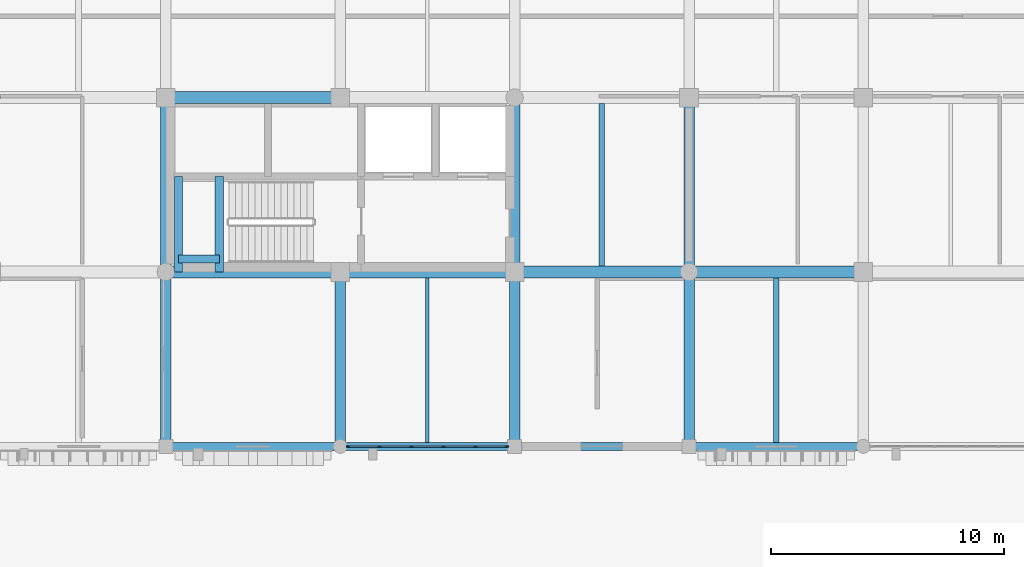
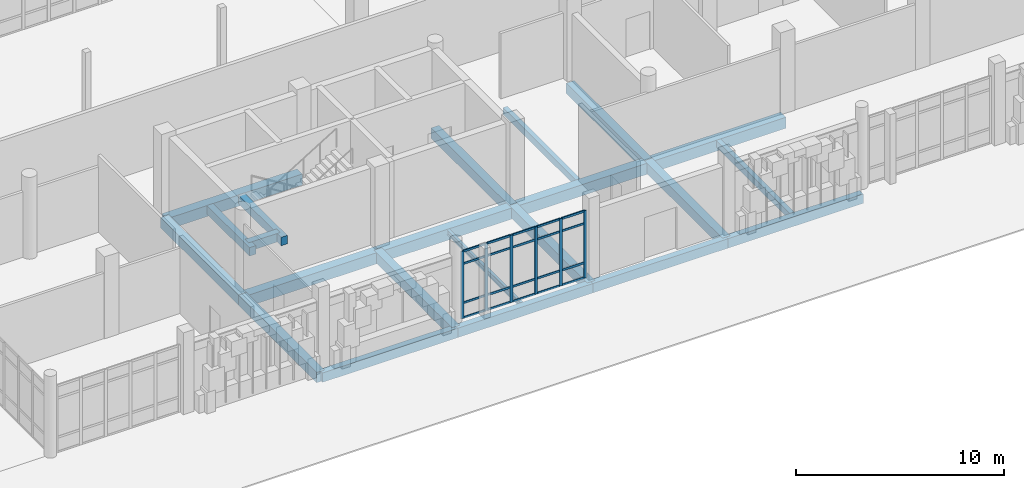
# One storey, part 54 of 125: 26 members, 22 beams, 1 element without a shape of its own.
"""IFC4 building model written with IfcOpenShell, lengths in metres."""

from ifc_helpers import new_model, si_unit, direction, frame, origin, origin_2d, place, context, subcontext, project, spatial, rectangle, i_section, extrude, material, layer, layer_set, material_profile, profile_set, type_object, element, aggregate, save


model = new_model("IFC4")

# Units and contexts
model_context = context("Model", 3, precision=1e-05, world=origin(), true_north=direction((0.0, 1.0)))
body_context = subcontext(model_context, "Body", "Model", "MODEL_VIEW")
ifc_project = project(units=[si_unit("LENGTHUNIT", "METRE"), si_unit("AREAUNIT", "SQUARE_METRE"), si_unit("VOLUMEUNIT", "CUBIC_METRE"), si_unit("PLANEANGLEUNIT", "RADIAN"), si_unit("MASSUNIT", "GRAM", prefix="KILO")], contexts=[model_context])

# Site, building, storey
site_placement = place(None, origin())
site = spatial("IfcSite", under=ifc_project, at=site_placement, CompositionType="ELEMENT")
building_placement = place(site_placement, origin())
building = spatial("IfcBuilding", under=site, at=building_placement, Name="Dalvernix Boulevard General Hospital", CompositionType="ELEMENT")
storey_placement = place(building_placement, origin())
storey = spatial("IfcBuildingStorey", under=building, at=storey_placement, Name="L00", CompositionType="ELEMENT", Elevation=0.0)

# Beams
ifc_material_1 = material(Name="Concrete C35/45", Category="concrete")
ifc_material_profile_1 = material_profile(ifc_material_1, rectangle(XDim=0.5, YDim=0.64990234375, at=origin_2d()), Name="RCB 500x650")
ifc_profile_set_1 = profile_set([ifc_material_profile_1], Name="Concrete C35/45")
beam_type_1 = type_object("IfcBeamType", Name="BM-B-02-I", PredefinedType="BEAM", material=ifc_profile_set_1)
for number, where, z_axis, x_axis, name in (
    (1, (127.5, 7.5, -0.68505859375), (1.0, 0.0, 0.0), (0.0, 1.0, 0.0), "L00 E-W girder B:18-19"),
    (2, (135.0, 7.5, -0.68505859375), (1.0, 0.0, 0.0), (0.0, 1.0, 0.0), "L00 E-W girder B:19-20"),
    (3, (142.5, 7.5, -0.68505859375), (1.0, 0.0, 0.0), (0.0, 1.0, 0.0), "L00 E-W girder B:20-21"),
    (4, (150.0, 7.5, -0.68505859375), (1.0, 0.0, 0.0), (0.0, 1.0, 0.0), "L00 E-W girder B:21-22"),
    (5, (127.5, 15.0, -0.68505859375), (1.0, 0.0, 0.0), (0.0, 1.0, 0.0), "L00 E-W girder C:18-19"),
):
    element("IfcBeam", number, at=place(storey_placement, frame(where, z_axis=z_axis, x_axis=x_axis)), inside=storey, type_object=beam_type_1, Name=name, PredefinedType="BEAM", context=body_context, shape_type="SweptSolid", body=[
        extrude(rectangle(XDim=0.5, YDim=0.64990234375, at=origin_2d()), origin(), (0.0, 0.0, 1.0), 7.5),
    ])
ifc_material_profile_2 = material_profile(ifc_material_1, rectangle(XDim=0.449951171875, YDim=0.60009765625, at=origin_2d()), Name="RCB 450x600")
ifc_profile_set_2 = profile_set([ifc_material_profile_2], Name="Concrete C35/45")
beam_type_2 = type_object("IfcBeamType", Name="BM-B-04-I", PredefinedType="BEAM", material=ifc_profile_set_2)
for number, where, z_axis, x_axis, name in (
    (6, (127.5, 0.0, -0.659912109375), (0.0, 1.0, 0.0), (-1.0, 0.0, 0.0), "L00 N-S girder 18:A-B"),
    (7, (127.5, 7.5, -0.659912109375), (0.0, 1.0, 0.0), (-1.0, 0.0, 0.0), "L00 N-S girder 18:B-C"),
    (8, (135.0, 0.0, -0.659912109375), (0.0, 1.0, 0.0), (-1.0, 0.0, 0.0), "L00 N-S girder 19:A-B"),
    (9, (142.5, 0.0, -0.659912109375), (0.0, 1.0, 0.0), (-1.0, 0.0, 0.0), "L00 N-S girder 20:A-B"),
    (10, (142.5, 7.5, -0.659912109375), (0.0, 1.0, 0.0), (-1.0, 0.0, 0.0), "L00 N-S girder 20:B-C"),
    (11, (150.0, 0.0, -0.659912109375), (0.0, 1.0, 0.0), (-1.0, 0.0, 0.0), "L00 N-S girder 21:A-B"),
    (12, (150.0, 7.5, -0.659912109375), (0.0, 1.0, 0.0), (-1.0, 0.0, 0.0), "L00 N-S girder 21:B-C"),
):
    element("IfcBeam", number, at=place(storey_placement, frame(where, z_axis=z_axis, x_axis=x_axis)), inside=storey, type_object=beam_type_2, Name=name, PredefinedType="BEAM", context=body_context, shape_type="SweptSolid", body=[
        extrude(rectangle(XDim=0.449951171875, YDim=0.60009765625, at=origin_2d()), origin(), (0.0, 0.0, 1.0), 7.5),
    ])
ifc_material_profile_3 = material_profile(ifc_material_1, rectangle(XDim=0.35009765625, YDim=0.5, at=origin_2d()), Name="RCB 350x500")
ifc_profile_set_3 = profile_set([ifc_material_profile_3], Name="Concrete C35/45")
beam_type_3 = type_object("IfcBeamType", Name="BM-B-08", PredefinedType="BEAM", material=ifc_profile_set_3)
for number, where, z_axis, x_axis, name in (
    (13, (128.050048828125, 7.5, 1.949951171875), (0.0, 1.0, 0.0), (-1.0, 0.0, 0.0), "L00 C5 stair half-landing beam 1"),
    (14, (129.800048828125, 7.5, 1.949951171875), (0.0, 1.0, 0.0), (-1.0, 0.0, 0.0), "L00 C5 stair half-landing beam 2"),
):
    element("IfcBeam", number, at=place(storey_placement, frame(where, z_axis=z_axis, x_axis=x_axis)), inside=storey, type_object=beam_type_3, Name=name, PredefinedType="BEAM", context=body_context, shape_type="SweptSolid", body=[
        extrude(rectangle(XDim=0.35009765625, YDim=0.5, at=origin_2d()), origin(), (0.0, 0.0, 1.0), 4.10009765625),
    ])
beam_1_placement = place(storey_placement, frame((128.050048828125, 8.050048828125, 1.949951171875), z_axis=(1.0, 0.0, 0.0), x_axis=(0.0, 1.0, 0.0)))
element("IfcBeam", 15, at=beam_1_placement, inside=storey, type_object=beam_type_3, Name="L00 C5 stair half-landing tie beam", PredefinedType="BEAM", context=body_context, shape_type="SweptSolid", body=[
    extrude(rectangle(XDim=0.35009765625, YDim=0.5, at=origin_2d()), origin(), (0.0, 0.0, 1.0), 1.75),
])
ifc_material_profile_4 = material_profile(ifc_material_1, rectangle(XDim=0.25, YDim=0.39990234375, at=origin_2d()), Name="RCB 250x400")
ifc_profile_set_4 = profile_set([ifc_material_profile_4], Name="Concrete C35/45")
beam_type_4 = type_object("IfcBeamType", Name="BM-JB-02", PredefinedType="JOIST", material=ifc_profile_set_4)
beam_2_placement = place(storey_placement, frame((146.25, 7.75, -0.56005859375), z_axis=(0.0, 1.0, 0.0), x_axis=(-1.0, 0.0, 0.0)))
element("IfcBeam", 16, at=beam_2_placement, inside=storey, type_object=beam_type_4, Name="L00 secondary floor beam 20-B", PredefinedType="JOIST", context=body_context, shape_type="SweptSolid", body=[
    extrude(rectangle(XDim=0.25, YDim=0.39990234375, at=origin_2d()), origin(), (0.0, 0.0, 1.0), 7.0),
])
beam_3_placement = place(storey_placement, frame((153.75, 0.175048828125, -0.56005859375), z_axis=(0.0, 1.0, 0.0), x_axis=(-1.0, 0.0, 0.0)))
element("IfcBeam", 17, at=beam_3_placement, inside=storey, type_object=beam_type_4, Name="L00 secondary floor beam 21-A", PredefinedType="JOIST", context=body_context, shape_type="SweptSolid", body=[
    extrude(rectangle(XDim=0.25, YDim=0.39990234375, at=origin_2d()), origin(), (0.0, 0.0, 1.0), 7.074951171875),
])
ifc_material_2 = material(Name="Steel S355", Category="steel")
ifc_material_profile_5 = material_profile(ifc_material_2, i_section(OverallWidth=0.14990234375, OverallDepth=0.300048828125, WebThickness=0.007080078125, FlangeThickness=0.0107421875, FilletRadius=0.014892578125, at=origin_2d()), Name="IPE 300")
ifc_profile_set_5 = profile_set([ifc_material_profile_5], Name="Steel S355")
beam_type_5 = type_object("IfcBeamType", Name="BM-JB-03", PredefinedType="JOIST", material=ifc_profile_set_5)
beam_4_placement = place(storey_placement, frame((138.75, 0.175048828125, -0.510009765625), z_axis=(0.0, 1.0, 0.0), x_axis=(-1.0, 0.0, 0.0)))
element("IfcBeam", 18, at=beam_4_placement, inside=storey, type_object=beam_type_5, Name="L00 secondary floor beam 19-A", PredefinedType="JOIST", context=body_context, shape_type="SweptSolid", body=[
    extrude(i_section(OverallWidth=0.14990234375, OverallDepth=0.300048828125, WebThickness=0.007080078125, FlangeThickness=0.0107421875, FilletRadius=0.014892578125, at=origin_2d()), origin(), (0.0, 0.0, 1.0), 7.074951171875),
])
ifc_material_profile_6 = material_profile(ifc_material_1, rectangle(XDim=0.35009765625, YDim=0.550048828125, at=origin_2d()), Name="RCB 350x550")
ifc_profile_set_6 = profile_set([ifc_material_profile_6], Name="Concrete C35/45")
beam_type_6 = type_object("IfcBeamType", Name="BM-SB-01-E", PredefinedType="SPANDREL", material=ifc_profile_set_6)
for number, where, z_axis, x_axis, name in (
    (19, (127.5, 0.0, -0.635009765625), (1.0, 0.0, 0.0), (0.0, 1.0, 0.0), "L00 E-W girder A:18-19"),
    (20, (135.0, 0.0, -0.635009765625), (1.0, 0.0, 0.0), (0.0, 1.0, 0.0), "L00 E-W girder A:19-20"),
    (21, (142.5, 0.0, -0.635009765625), (1.0, 0.0, 0.0), (0.0, 1.0, 0.0), "L00 E-W girder A:20-21"),
    (22, (150.0, 0.0, -0.635009765625), (1.0, 0.0, 0.0), (0.0, 1.0, 0.0), "L00 E-W girder A:21-22"),
):
    element("IfcBeam", number, at=place(storey_placement, frame(where, z_axis=z_axis, x_axis=x_axis)), inside=storey, type_object=beam_type_6, Name=name, PredefinedType="SPANDREL", context=body_context, shape_type="SweptSolid", body=[
        extrude(rectangle(XDim=0.35009765625, YDim=0.550048828125, at=origin_2d()), origin(), (0.0, 0.0, 1.0), 7.5),
    ])

# Curtain wall, members
ifc_material_3 = material(Name="Thermally broken aluminium and solar-control glass curtain wall", Category="aluminium")
ifc_layer = layer(ifc_material_3, 0.159912109375)
ifc_layer_set = layer_set([ifc_layer], Name="Thermally broken aluminium and solar-control glass curtain wall (CW-CW-A-69x40)")
curtain_wall_type = type_object("IfcCurtainWallType", Name="CW-CW-A-69x40", PredefinedType="USERDEFINED", material=ifc_layer_set)
curtain_wall_placement = place(storey_placement, origin())
curtain_wall = element("IfcCurtainWall", 23, at=curtain_wall_placement, inside=storey, type_object=curtain_wall_type, Name="L00 curtain wall CW-A-69x40 18-0", ObjectType="GLAZED FACADE", PredefinedType="USERDEFINED")
ifc_material_4 = material(Name="Aluminium EN AW-6060", Category="aluminium")
ifc_material_profile_7 = material_profile(ifc_material_4, rectangle(XDim=0.06005859375, YDim=0.159912109375, at=origin_2d()), Name="ALU MULL 60x160")
ifc_profile_set_7 = profile_set([ifc_material_profile_7], Name="Aluminium EN AW-6060")
member_type_1 = type_object("IfcMemberType", Name="MEM-CW-M1", PredefinedType="MULLION", material=ifc_profile_set_7)
member_1_placement = place(storey_placement, frame((142.159912109375, 0.0, 0.0), z_axis=(0.0, 0.0, 1.0), x_axis=(0.0, -1.0, 0.0)))
member_1 = element("IfcMember", 24, at=member_1_placement, type_object=member_type_1, Name="CW-A-69x40 mullion 1", PredefinedType="MULLION", context=body_context, shape_type="SweptSolid", body=[
    extrude(rectangle(XDim=0.06005859375, YDim=0.159912109375, at=origin_2d()), origin(), (0.0, 0.0, 1.0), 3.949951171875),
])
member_2_placement = place(storey_placement, frame((140.81396484375, 0.0, 0.0), z_axis=(0.0, 0.0, 1.0), x_axis=(0.0, -1.0, 0.0)))
member_2 = element("IfcMember", 25, at=member_2_placement, type_object=member_type_1, Name="CW-A-69x40 mullion 2", PredefinedType="MULLION", context=body_context, shape_type="SweptSolid", body=[
    extrude(rectangle(XDim=0.06005859375, YDim=0.159912109375, at=origin_2d()), origin(), (0.0, 0.0, 1.0), 3.949951171875),
])
member_3_placement = place(storey_placement, frame((139.43798828125, 0.0, 0.0), z_axis=(0.0, 0.0, 1.0), x_axis=(0.0, -1.0, 0.0)))
member_3 = element("IfcMember", 26, at=member_3_placement, type_object=member_type_1, Name="CW-A-69x40 mullion 3", PredefinedType="MULLION", context=body_context, shape_type="SweptSolid", body=[
    extrude(rectangle(XDim=0.06005859375, YDim=0.159912109375, at=origin_2d()), origin(), (0.0, 0.0, 1.0), 3.949951171875),
])
member_4_placement = place(storey_placement, frame((138.06201171875, 0.0, 0.0), z_axis=(0.0, 0.0, 1.0), x_axis=(0.0, -1.0, 0.0)))
member_4 = element("IfcMember", 27, at=member_4_placement, type_object=member_type_1, Name="CW-A-69x40 mullion 4", PredefinedType="MULLION", context=body_context, shape_type="SweptSolid", body=[
    extrude(rectangle(XDim=0.06005859375, YDim=0.159912109375, at=origin_2d()), origin(), (0.0, 0.0, 1.0), 3.949951171875),
])
member_5_placement = place(storey_placement, frame((136.68603515625, 0.0, 0.0), z_axis=(0.0, 0.0, 1.0), x_axis=(0.0, -1.0, 0.0)))
member_5 = element("IfcMember", 28, at=member_5_placement, type_object=member_type_1, Name="CW-A-69x40 mullion 5", PredefinedType="MULLION", context=body_context, shape_type="SweptSolid", body=[
    extrude(rectangle(XDim=0.06005859375, YDim=0.159912109375, at=origin_2d()), origin(), (0.0, 0.0, 1.0), 3.949951171875),
])
member_6_placement = place(storey_placement, frame((135.340087890625, 0.0, 0.0), z_axis=(0.0, 0.0, 1.0), x_axis=(0.0, -1.0, 0.0)))
member_6 = element("IfcMember", 29, at=member_6_placement, type_object=member_type_1, Name="CW-A-69x40 mullion 6", PredefinedType="MULLION", context=body_context, shape_type="SweptSolid", body=[
    extrude(rectangle(XDim=0.06005859375, YDim=0.159912109375, at=origin_2d()), origin(), (0.0, 0.0, 1.0), 3.949951171875),
])
ifc_material_profile_8 = material_profile(ifc_material_4, rectangle(XDim=0.06005859375, YDim=0.1201171875, at=origin_2d()), Name="ALU TRAN 60x120")
ifc_profile_set_8 = profile_set([ifc_material_profile_8], Name="Aluminium EN AW-6060")
member_type_2 = type_object("IfcMemberType", Name="MEM-CW-T1", PredefinedType="USERDEFINED", material=ifc_profile_set_8)
member_7_placement = place(storey_placement, frame((142.1298828125, 0.0, 0.030029296875), z_axis=(-1.0, 0.0, 0.0), x_axis=(0.0, -1.0, 0.0)))
member_7 = element("IfcMember", 30, at=member_7_placement, type_object=member_type_2, Name="CW-A-69x40 transom 1.1", ObjectType="TRANSOM", PredefinedType="USERDEFINED", context=body_context, shape_type="SweptSolid", body=[
    extrude(rectangle(XDim=0.06005859375, YDim=0.1201171875, at=origin_2d()), origin(), (0.0, 0.0, 1.0), 1.285888671875),
])
member_8_placement = place(storey_placement, frame((142.1298828125, 0.0, 0.89990234375), z_axis=(-1.0, 0.0, 0.0), x_axis=(0.0, -1.0, 0.0)))
member_8 = element("IfcMember", 31, at=member_8_placement, type_object=member_type_2, Name="CW-A-69x40 transom 1.2", ObjectType="TRANSOM", PredefinedType="USERDEFINED", context=body_context, shape_type="SweptSolid", body=[
    extrude(rectangle(XDim=0.06005859375, YDim=0.1201171875, at=origin_2d()), origin(), (0.0, 0.0, 1.0), 1.285888671875),
])
member_9_placement = place(storey_placement, frame((142.1298828125, 0.0, 3.199951171875), z_axis=(-1.0, 0.0, 0.0), x_axis=(0.0, -1.0, 0.0)))
member_9 = element("IfcMember", 32, at=member_9_placement, type_object=member_type_2, Name="CW-A-69x40 transom 1.3", ObjectType="TRANSOM", PredefinedType="USERDEFINED", context=body_context, shape_type="SweptSolid", body=[
    extrude(rectangle(XDim=0.06005859375, YDim=0.1201171875, at=origin_2d()), origin(), (0.0, 0.0, 1.0), 1.285888671875),
])
member_10_placement = place(storey_placement, frame((142.1298828125, 0.0, 3.919921875), z_axis=(-1.0, 0.0, 0.0), x_axis=(0.0, -1.0, 0.0)))
member_10 = element("IfcMember", 33, at=member_10_placement, type_object=member_type_2, Name="CW-A-69x40 transom 1.4", ObjectType="TRANSOM", PredefinedType="USERDEFINED", context=body_context, shape_type="SweptSolid", body=[
    extrude(rectangle(XDim=0.06005859375, YDim=0.1201171875, at=origin_2d()), origin(), (0.0, 0.0, 1.0), 1.285888671875),
])
member_11_placement = place(storey_placement, frame((140.783935546875, 0.0, 0.030029296875), z_axis=(-1.0, 0.0, 0.0), x_axis=(0.0, -1.0, 0.0)))
member_11 = element("IfcMember", 34, at=member_11_placement, type_object=member_type_2, Name="CW-A-69x40 transom 2.1", ObjectType="TRANSOM", PredefinedType="USERDEFINED", context=body_context, shape_type="SweptSolid", body=[
    extrude(rectangle(XDim=0.06005859375, YDim=0.1201171875, at=origin_2d()), origin(), (0.0, 0.0, 1.0), 1.31591796875),
])
member_12_placement = place(storey_placement, frame((140.783935546875, 0.0, 0.89990234375), z_axis=(-1.0, 0.0, 0.0), x_axis=(0.0, -1.0, 0.0)))
member_12 = element("IfcMember", 35, at=member_12_placement, type_object=member_type_2, Name="CW-A-69x40 transom 2.2", ObjectType="TRANSOM", PredefinedType="USERDEFINED", context=body_context, shape_type="SweptSolid", body=[
    extrude(rectangle(XDim=0.06005859375, YDim=0.1201171875, at=origin_2d()), origin(), (0.0, 0.0, 1.0), 1.31591796875),
])
member_13_placement = place(storey_placement, frame((140.783935546875, 0.0, 3.199951171875), z_axis=(-1.0, 0.0, 0.0), x_axis=(0.0, -1.0, 0.0)))
member_13 = element("IfcMember", 36, at=member_13_placement, type_object=member_type_2, Name="CW-A-69x40 transom 2.3", ObjectType="TRANSOM", PredefinedType="USERDEFINED", context=body_context, shape_type="SweptSolid", body=[
    extrude(rectangle(XDim=0.06005859375, YDim=0.1201171875, at=origin_2d()), origin(), (0.0, 0.0, 1.0), 1.31591796875),
])
member_14_placement = place(storey_placement, frame((140.783935546875, 0.0, 3.919921875), z_axis=(-1.0, 0.0, 0.0), x_axis=(0.0, -1.0, 0.0)))
member_14 = element("IfcMember", 37, at=member_14_placement, type_object=member_type_2, Name="CW-A-69x40 transom 2.4", ObjectType="TRANSOM", PredefinedType="USERDEFINED", context=body_context, shape_type="SweptSolid", body=[
    extrude(rectangle(XDim=0.06005859375, YDim=0.1201171875, at=origin_2d()), origin(), (0.0, 0.0, 1.0), 1.31591796875),
])
member_15_placement = place(storey_placement, frame((139.407958984375, 0.0, 0.030029296875), z_axis=(-1.0, 0.0, 0.0), x_axis=(0.0, -1.0, 0.0)))
member_15 = element("IfcMember", 38, at=member_15_placement, type_object=member_type_2, Name="CW-A-69x40 transom 3.1", ObjectType="TRANSOM", PredefinedType="USERDEFINED", context=body_context, shape_type="SweptSolid", body=[
    extrude(rectangle(XDim=0.06005859375, YDim=0.1201171875, at=origin_2d()), origin(), (0.0, 0.0, 1.0), 1.31591796875),
])
member_16_placement = place(storey_placement, frame((139.407958984375, 0.0, 0.89990234375), z_axis=(-1.0, 0.0, 0.0), x_axis=(0.0, -1.0, 0.0)))
member_16 = element("IfcMember", 39, at=member_16_placement, type_object=member_type_2, Name="CW-A-69x40 transom 3.2", ObjectType="TRANSOM", PredefinedType="USERDEFINED", context=body_context, shape_type="SweptSolid", body=[
    extrude(rectangle(XDim=0.06005859375, YDim=0.1201171875, at=origin_2d()), origin(), (0.0, 0.0, 1.0), 1.31591796875),
])
member_17_placement = place(storey_placement, frame((139.407958984375, 0.0, 3.199951171875), z_axis=(-1.0, 0.0, 0.0), x_axis=(0.0, -1.0, 0.0)))
member_17 = element("IfcMember", 40, at=member_17_placement, type_object=member_type_2, Name="CW-A-69x40 transom 3.3", ObjectType="TRANSOM", PredefinedType="USERDEFINED", context=body_context, shape_type="SweptSolid", body=[
    extrude(rectangle(XDim=0.06005859375, YDim=0.1201171875, at=origin_2d()), origin(), (0.0, 0.0, 1.0), 1.31591796875),
])
member_18_placement = place(storey_placement, frame((139.407958984375, 0.0, 3.919921875), z_axis=(-1.0, 0.0, 0.0), x_axis=(0.0, -1.0, 0.0)))
member_18 = element("IfcMember", 41, at=member_18_placement, type_object=member_type_2, Name="CW-A-69x40 transom 3.4", ObjectType="TRANSOM", PredefinedType="USERDEFINED", context=body_context, shape_type="SweptSolid", body=[
    extrude(rectangle(XDim=0.06005859375, YDim=0.1201171875, at=origin_2d()), origin(), (0.0, 0.0, 1.0), 1.31591796875),
])
member_19_placement = place(storey_placement, frame((138.031982421875, 0.0, 0.030029296875), z_axis=(-1.0, 0.0, 0.0), x_axis=(0.0, -1.0, 0.0)))
member_19 = element("IfcMember", 42, at=member_19_placement, type_object=member_type_2, Name="CW-A-69x40 transom 4.1", ObjectType="TRANSOM", PredefinedType="USERDEFINED", context=body_context, shape_type="SweptSolid", body=[
    extrude(rectangle(XDim=0.06005859375, YDim=0.1201171875, at=origin_2d()), origin(), (0.0, 0.0, 1.0), 1.31591796875),
])
member_20_placement = place(storey_placement, frame((138.031982421875, 0.0, 0.89990234375), z_axis=(-1.0, 0.0, 0.0), x_axis=(0.0, -1.0, 0.0)))
member_20 = element("IfcMember", 43, at=member_20_placement, type_object=member_type_2, Name="CW-A-69x40 transom 4.2", ObjectType="TRANSOM", PredefinedType="USERDEFINED", context=body_context, shape_type="SweptSolid", body=[
    extrude(rectangle(XDim=0.06005859375, YDim=0.1201171875, at=origin_2d()), origin(), (0.0, 0.0, 1.0), 1.31591796875),
])
member_21_placement = place(storey_placement, frame((138.031982421875, 0.0, 3.199951171875), z_axis=(-1.0, 0.0, 0.0), x_axis=(0.0, -1.0, 0.0)))
member_21 = element("IfcMember", 44, at=member_21_placement, type_object=member_type_2, Name="CW-A-69x40 transom 4.3", ObjectType="TRANSOM", PredefinedType="USERDEFINED", context=body_context, shape_type="SweptSolid", body=[
    extrude(rectangle(XDim=0.06005859375, YDim=0.1201171875, at=origin_2d()), origin(), (0.0, 0.0, 1.0), 1.31591796875),
])
member_22_placement = place(storey_placement, frame((138.031982421875, 0.0, 3.919921875), z_axis=(-1.0, 0.0, 0.0), x_axis=(0.0, -1.0, 0.0)))
member_22 = element("IfcMember", 45, at=member_22_placement, type_object=member_type_2, Name="CW-A-69x40 transom 4.4", ObjectType="TRANSOM", PredefinedType="USERDEFINED", context=body_context, shape_type="SweptSolid", body=[
    extrude(rectangle(XDim=0.06005859375, YDim=0.1201171875, at=origin_2d()), origin(), (0.0, 0.0, 1.0), 1.31591796875),
])
member_23_placement = place(storey_placement, frame((136.656005859375, 0.0, 0.030029296875), z_axis=(-1.0, 0.0, 0.0), x_axis=(0.0, -1.0, 0.0)))
member_23 = element("IfcMember", 46, at=member_23_placement, type_object=member_type_2, Name="CW-A-69x40 transom 5.1", ObjectType="TRANSOM", PredefinedType="USERDEFINED", context=body_context, shape_type="SweptSolid", body=[
    extrude(rectangle(XDim=0.06005859375, YDim=0.1201171875, at=origin_2d()), origin(), (0.0, 0.0, 1.0), 1.285888671875),
])
member_24_placement = place(storey_placement, frame((136.656005859375, 0.0, 0.89990234375), z_axis=(-1.0, 0.0, 0.0), x_axis=(0.0, -1.0, 0.0)))
member_24 = element("IfcMember", 47, at=member_24_placement, type_object=member_type_2, Name="CW-A-69x40 transom 5.2", ObjectType="TRANSOM", PredefinedType="USERDEFINED", context=body_context, shape_type="SweptSolid", body=[
    extrude(rectangle(XDim=0.06005859375, YDim=0.1201171875, at=origin_2d()), origin(), (0.0, 0.0, 1.0), 1.285888671875),
])
member_25_placement = place(storey_placement, frame((136.656005859375, 0.0, 3.199951171875), z_axis=(-1.0, 0.0, 0.0), x_axis=(0.0, -1.0, 0.0)))
member_25 = element("IfcMember", 48, at=member_25_placement, type_object=member_type_2, Name="CW-A-69x40 transom 5.3", ObjectType="TRANSOM", PredefinedType="USERDEFINED", context=body_context, shape_type="SweptSolid", body=[
    extrude(rectangle(XDim=0.06005859375, YDim=0.1201171875, at=origin_2d()), origin(), (0.0, 0.0, 1.0), 1.285888671875),
])
member_26_placement = place(storey_placement, frame((136.656005859375, 0.0, 3.919921875), z_axis=(-1.0, 0.0, 0.0), x_axis=(0.0, -1.0, 0.0)))
member_26 = element("IfcMember", 49, at=member_26_placement, type_object=member_type_2, Name="CW-A-69x40 transom 5.4", ObjectType="TRANSOM", PredefinedType="USERDEFINED", context=body_context, shape_type="SweptSolid", body=[
    extrude(rectangle(XDim=0.06005859375, YDim=0.1201171875, at=origin_2d()), origin(), (0.0, 0.0, 1.0), 1.285888671875),
])
aggregate(curtain_wall, [member_1, member_2, member_3, member_4, member_5, member_6, member_7, member_8, member_9, member_10, member_11, member_12, member_13, member_14, member_15, member_16, member_17, member_18, member_19, member_20, member_21, member_22, member_23, member_24, member_25, member_26])

save(model, "model.ifc")
